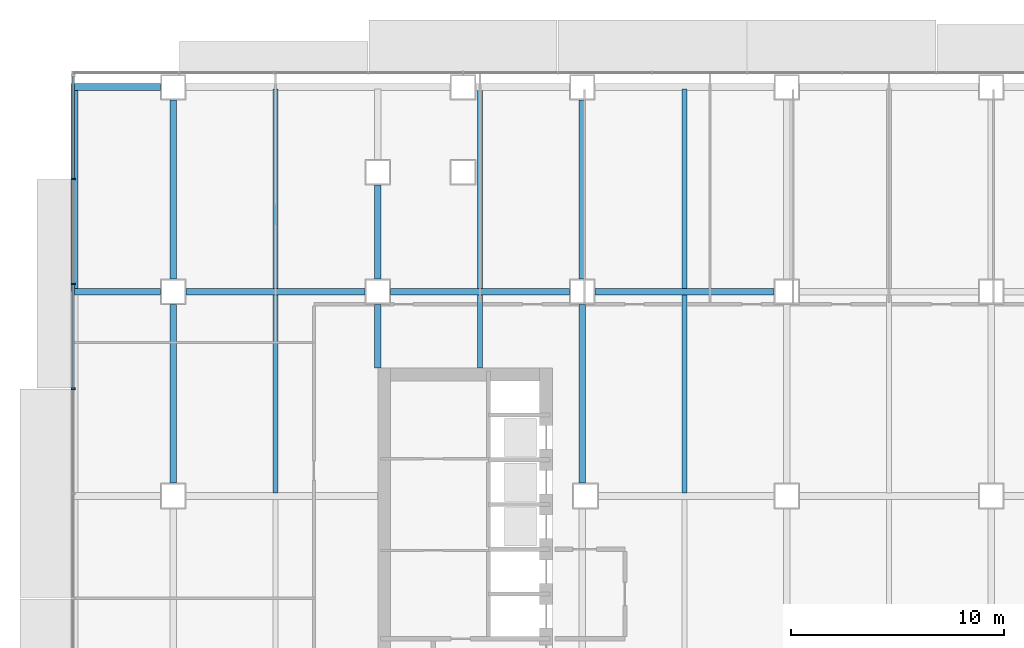
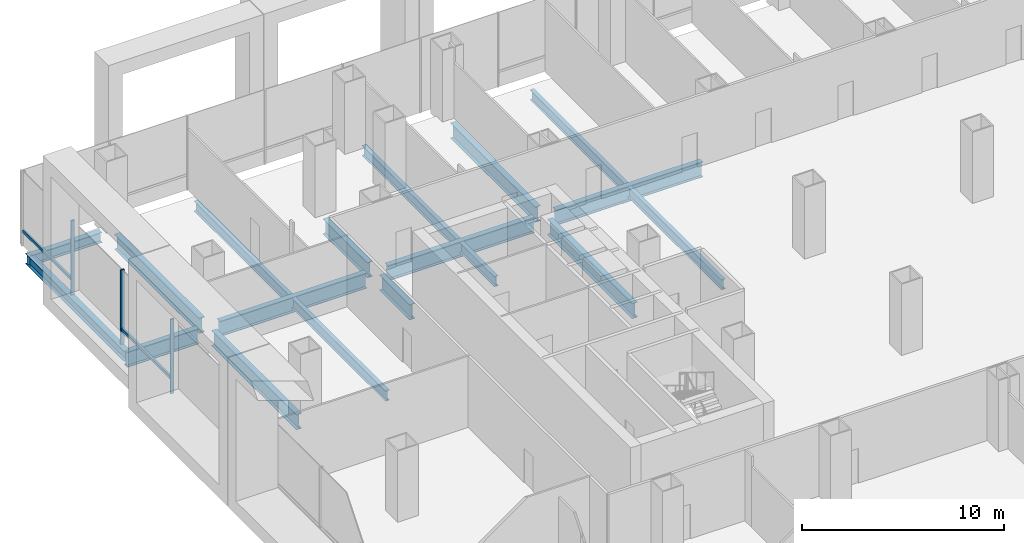
# One storey, part 6 of 23: 18 beams, 5 members, 1 element without a shape of its own.
"""IFC4 building model written with IfcOpenShell, lengths in metres."""

import ifcopenshell
import ifcopenshell.guid

model = None  # the IFC model being written
_history = None  # IfcOwnerHistory: only IFC2X3 demands one
_inside = {}  # id of a spatial element -> (the spatial element, [elements in it])
_under = {}  # id of a project, library or spatial element -> (it, [spatial elements below it])
_declared = {}  # id of a project -> (the project, [libraries it declares])
_typed = {}  # id of a type object -> (the type object, [elements of that type])
_made_of = {}  # id of a material, layer set ... -> (it, [elements and type objects made of it])


def new_model(schema):
    """Start an empty IFC model of exactly this schema.

    Asked for "IFC4X3", IfcOpenShell would pick the latest addendum, in which some entities
    have other attributes; the version numbers below select the first issue.
    IFC2X3 requires an IfcOwnerHistory on every rooted entity: one is made here for all.
    """
    global model, _history
    if schema == "IFC4X3":
        model = ifcopenshell.file(schema_version=(4, 3, 0, 0))
    else:
        model = ifcopenshell.file(schema=schema)
    _inside.clear()
    _under.clear()
    _declared.clear()
    _typed.clear()
    _made_of.clear()
    _history = None
    if model.schema == "IFC2X3":
        org = make("IfcOrganization", Name="unknown")
        user = make(
            "IfcPersonAndOrganization",
            ThePerson=make("IfcPerson", FamilyName="unknown"),
            TheOrganization=org,
        )
        app = make(
            "IfcApplication",
            ApplicationDeveloper=org,
            Version="unknown",
            ApplicationFullName="unknown",
            ApplicationIdentifier="unknown",
        )
        _history = make(
            "IfcOwnerHistory",
            OwningUser=user,
            OwningApplication=app,
            ChangeAction="ADDED",
            CreationDate=0,
        )
    return model


def make(cls, **values):
    """One entity of the class cls with the attributes given. An attribute that is None is left unset."""
    return model.create_entity(
        cls, **{name: value for name, value in values.items() if value is not None}
    )


def rooted(cls, **values):
    """An entity with a GlobalId (a new one), such as an element, a storey or a relation."""
    return make(cls, GlobalId=ifcopenshell.guid.new(), OwnerHistory=_history, **values)


def si_unit(unit_type, name, prefix=None):
    """IfcSIUnit, for example si_unit("LENGTHUNIT", "METRE", prefix="MILLI")."""
    return make("IfcSIUnit", UnitType=unit_type, Prefix=prefix, Name=name)


def assignment(units):
    """IfcUnitAssignment: the units of a project."""
    return None if units is None else make("IfcUnitAssignment", Units=units)


def point(xyz):
    """IfcCartesianPoint."""
    return None if xyz is None else make("IfcCartesianPoint", Coordinates=xyz)


def direction(xyz):
    """IfcDirection."""
    return None if xyz is None else make("IfcDirection", DirectionRatios=xyz)


def frame(location, z_axis=None, x_axis=None):
    """IfcAxis2Placement3D, a coordinate frame: its origin and axes. An axis left out is left unset."""
    return make(
        "IfcAxis2Placement3D",
        Location=point(location),
        Axis=direction(z_axis),
        RefDirection=direction(x_axis),
    )


def frame_2d(location, x_axis=None):
    """IfcAxis2Placement2D, a coordinate frame in the plane: its origin and x axis."""
    return make(
        "IfcAxis2Placement2D", Location=point(location), RefDirection=direction(x_axis)
    )


def origin():
    """The frame at (0, 0, 0) with its axes left unset."""
    return frame((0.0, 0.0, 0.0))


def origin_2d():
    """The frame at (0, 0) in the plane with its x axis left unset."""
    return frame_2d((0.0, 0.0))


def place(relative_to, where):
    """IfcLocalPlacement: puts the frame where relative to a parent placement (None: the world)."""
    return make(
        "IfcLocalPlacement", PlacementRelTo=relative_to, RelativePlacement=where
    )


def context(
    kind, dimensions, precision=None, world=None, true_north=None, identifier=None
):
    """IfcGeometricRepresentationContext, for example the 3D "Model" context."""
    return make(
        "IfcGeometricRepresentationContext",
        ContextIdentifier=identifier,
        ContextType=kind,
        CoordinateSpaceDimension=dimensions,
        Precision=precision,
        WorldCoordinateSystem=world,
        TrueNorth=true_north,
    )


def subcontext(parent, identifier, kind, view, scale=None):
    """IfcGeometricRepresentationSubContext, for example "Body" below "Model"."""
    return make(
        "IfcGeometricRepresentationSubContext",
        ContextIdentifier=identifier,
        ContextType=kind,
        ParentContext=parent,
        TargetScale=scale,
        TargetView=view,
    )


def project(units=None, contexts=None):
    """IfcProject with its units and contexts."""
    return rooted(
        "IfcProject",
        Name="project",
        RepresentationContexts=contexts,
        UnitsInContext=assignment(units),
    )


def spatial(cls, under=None, at=None, **own):
    """A site, building, storey or space (cls), placed at a placement, below another one or the project."""
    s = rooted(cls, ObjectPlacement=at, **own)
    if under is not None:
        _under.setdefault(under.id(), (under, []))[1].append(s)
    return s


def profile(cls, at=None, kind="AREA", **sizes):
    """A parametric profile (cls). Its sizes go by their IFC names, for example OverallWidth=200.0."""
    return make(cls, ProfileType=kind, Position=at, **sizes)


def rectangle(**sizes):
    """IfcRectangleProfileDef."""
    return profile("IfcRectangleProfileDef", **sizes)


def i_section(**sizes):
    """IfcIShapeProfileDef."""
    return profile("IfcIShapeProfileDef", **sizes)


def extrude(swept, where, along, depth):
    """IfcExtrudedAreaSolid: the profile swept, set in the frame where, extruded along a direction by depth."""
    return make(
        "IfcExtrudedAreaSolid",
        SweptArea=swept,
        Position=where,
        ExtrudedDirection=direction(along),
        Depth=depth,
    )


def shape(context_of_items, identifier, shape_type, items):
    """IfcShapeRepresentation: the items that make up one representation, for example the "Body"."""
    return make(
        "IfcShapeRepresentation",
        ContextOfItems=context_of_items,
        RepresentationIdentifier=identifier,
        RepresentationType=shape_type,
        Items=items,
    )


def material(Name=None, Category=None):
    """IfcMaterial."""
    return make("IfcMaterial", Name=Name, Category=Category)


def material_profile(
    of_material, cross_section, Name=None, Category=None, Priority=None
):
    """IfcMaterialProfile: a cross section and its material."""
    return make(
        "IfcMaterialProfile",
        Name=Name,
        Material=of_material,
        Profile=cross_section,
        Priority=Priority,
        Category=Category,
    )


def profile_set(profiles, Name=None, composite=None):
    """IfcMaterialProfileSet."""
    return make(
        "IfcMaterialProfileSet",
        Name=Name,
        MaterialProfiles=profiles,
        CompositeProfile=composite,
    )


def made_of(thing, what):
    """Note that an element or type object is made of a material, layer set ...; save() writes the relation."""
    if what is not None:
        _made_of.setdefault(what.id(), (what, []))[1].append(thing)
    return thing


def type_object(cls, material=None, **own):
    """A type object (cls), such as IfcWallType, which elements share."""
    return made_of(rooted(cls, **own), material)


def element(
    cls,
    number,
    at=None,
    inside=None,
    cuts=None,
    type_object=None,
    material=None,
    context=None,
    identifier="Body",
    shape_type=None,
    held_by="IfcProductDefinitionShape",
    body=None,
    shapes=None,
    **own,
):
    """One element of the class cls, such as IfcWall. Its Tag is "e" and its number.

    at: its placement. inside: the storey or other place that contains it. cuts: it is an
    opening in that element (IfcRelVoidsElement). A single representation is given by context,
    identifier, shape_type and body (its items); several are given by shapes. held_by: the class
    of the entity that holds the representations. save() writes the other relations.
    """
    e = rooted(cls, Tag="e%d" % number, ObjectPlacement=at, **own)
    if body is not None:
        shapes = [shape(context, identifier, shape_type, body)]
    if shapes is not None:
        e.Representation = make(held_by, Representations=shapes)
    if inside is not None:
        _inside.setdefault(inside.id(), (inside, []))[1].append(e)
    if cuts is not None:
        rooted(
            "IfcRelVoidsElement", RelatingBuildingElement=cuts, RelatedOpeningElement=e
        )
    if type_object is not None:
        _typed.setdefault(type_object.id(), (type_object, []))[1].append(e)
    return made_of(e, material)


def aggregate(whole, parts):
    """IfcRelAggregates: a whole, such as a stair, and the parts it consists of."""
    return rooted("IfcRelAggregates", RelatingObject=whole, RelatedObjects=parts)


def save(model, path):
    """Write the relations noted so far, then the file.

    IfcRelAggregates (storeys below a building ...), IfcRelContainedInSpatialStructure (elements
    in a storey), IfcRelDefinesByType, IfcRelAssociatesMaterial and IfcRelDeclares: one each for
    every whole, place, type object, material and project.
    """
    for whole, parts in _under.values():
        aggregate(whole, parts)
    for where, things in _inside.values():
        rooted(
            "IfcRelContainedInSpatialStructure",
            RelatedElements=things,
            RelatingStructure=where,
        )
    for kind, things in _typed.values():
        rooted("IfcRelDefinesByType", RelatedObjects=things, RelatingType=kind)
    for what, things in _made_of.values():
        rooted("IfcRelAssociatesMaterial", RelatedObjects=things, RelatingMaterial=what)
    for by, libraries in _declared.values():
        rooted("IfcRelDeclares", RelatingContext=by, RelatedDefinitions=libraries)
    model.write(path)


model = new_model("IFC4")

# Units and contexts
model_context = context("Model", 3, precision=1e-05, world=origin(), true_north=direction((0.0, 1.0)))
body_context = subcontext(model_context, "Body", "Model", "MODEL_VIEW")
ifc_project = project(units=[si_unit("LENGTHUNIT", "METRE"), si_unit("AREAUNIT", "SQUARE_METRE"), si_unit("VOLUMEUNIT", "CUBIC_METRE"), si_unit("PLANEANGLEUNIT", "RADIAN"), si_unit("MASSUNIT", "GRAM", prefix="KILO")], contexts=[model_context])

# Site, building, storey
site_placement = place(None, origin())
site = spatial("IfcSite", under=ifc_project, at=site_placement, CompositionType="ELEMENT")
building_placement = place(site_placement, origin())
building = spatial("IfcBuilding", under=site, at=building_placement, Name="Cobrizo Arcos Hotel Tower", CompositionType="ELEMENT")
storey_placement = place(building_placement, frame((0.0, 0.0, 15.5)))
storey = spatial("IfcBuildingStorey", under=building, at=storey_placement, Name="L02", CompositionType="ELEMENT", Elevation=15.5)

# Curtain wall, members
ifc_material_1 = material(Name="Aluminium 6063-T6 anodised bronze", Category="aluminium")
curtain_wall_type = type_object("IfcCurtainWallType", Name="CW-B podium glazing", PredefinedType="NOTDEFINED", material=ifc_material_1)
curtain_wall_placement = place(storey_placement, origin())
curtain_wall = element("IfcCurtainWall", 1, at=curtain_wall_placement, inside=storey, type_object=curtain_wall_type, Name="CW-B L02 W face", PredefinedType="NOTDEFINED")
ifc_material_profile_1 = material_profile(ifc_material_1, rectangle(XDim=0.199951171875, YDim=0.080078125, at=origin_2d()), Name="CW-B mullion 200x80")
ifc_profile_set_1 = profile_set([ifc_material_profile_1], Name="Aluminium 6063-T6 anodised bronze")
member_type_1 = type_object("IfcMemberType", Name="CW-B mullion 200x80", PredefinedType="MULLION", material=ifc_profile_set_1)
member_1_placement = place(storey_placement, frame((-38.300048828125, 19.679931640625, 0.0), z_axis=(0.0, 0.0, 1.0), x_axis=(-1.0, 0.0, 0.0)))
member_1 = element("IfcMember", 2, at=member_1_placement, type_object=member_type_1, Name="CW-B mullion 2", PredefinedType="MULLION", context=body_context, shape_type="SweptSolid", body=[
    extrude(rectangle(XDim=0.199951171875, YDim=0.080078125, at=origin_2d()), origin(), (0.0, 0.0, 1.0), 4.5),
])
member_2_placement = place(storey_placement, frame((-38.300048828125, 14.760009765625, 0.0), z_axis=(0.0, 0.0, 1.0), x_axis=(-1.0, 0.0, 0.0)))
member_2 = element("IfcMember", 3, at=member_2_placement, type_object=member_type_1, Name="CW-B mullion 3", PredefinedType="MULLION", context=body_context, shape_type="SweptSolid", body=[
    extrude(rectangle(XDim=0.199951171875, YDim=0.080078125, at=origin_2d()), origin(), (0.0, 0.0, 1.0), 4.5),
])
member_3_placement = place(storey_placement, frame((-38.300048828125, 9.840087890625, 0.0), z_axis=(0.0, 0.0, 1.0), x_axis=(-1.0, 0.0, 0.0)))
member_3 = element("IfcMember", 4, at=member_3_placement, type_object=member_type_1, Name="CW-B mullion 4", PredefinedType="MULLION", context=body_context, shape_type="SweptSolid", body=[
    extrude(rectangle(XDim=0.199951171875, YDim=0.080078125, at=origin_2d()), origin(), (0.0, 0.0, 1.0), 4.5),
])
ifc_material_profile_2 = material_profile(ifc_material_1, rectangle(XDim=0.1201171875, YDim=0.159912109375, at=origin_2d()), Name="CW-B transom 160x120")
ifc_profile_set_2 = profile_set([ifc_material_profile_2], Name="Aluminium 6063-T6 anodised bronze")
member_type_2 = type_object("IfcMemberType", Name="CW-B transom 160x120", PredefinedType="USERDEFINED", material=ifc_profile_set_2)
member_4_placement = place(storey_placement, frame((-38.300048828125, 24.52001953125, 0.89990234375), z_axis=(0.0, -1.0, 0.0), x_axis=(1.0, 0.0, 0.0)))
member_4 = element("IfcMember", 5, at=member_4_placement, type_object=member_type_2, Name="CW-B transom 134", ObjectType="TRANSOM", PredefinedType="USERDEFINED", context=body_context, shape_type="SweptSolid", body=[
    extrude(rectangle(XDim=0.1201171875, YDim=0.159912109375, at=origin_2d()), origin(), (0.0, 0.0, 1.0), 4.800048828125),
])
member_5_placement = place(storey_placement, frame((-38.300048828125, 14.719970703125, 0.89990234375), z_axis=(0.0, -1.0, 0.0), x_axis=(1.0, 0.0, 0.0)))
member_5 = element("IfcMember", 6, at=member_5_placement, type_object=member_type_2, Name="CW-B transom 136", ObjectType="TRANSOM", PredefinedType="USERDEFINED", context=body_context, shape_type="SweptSolid", body=[
    extrude(rectangle(XDim=0.1201171875, YDim=0.159912109375, at=origin_2d()), origin(), (0.0, 0.0, 1.0), 4.840087890625),
])
aggregate(curtain_wall, [member_1, member_2, member_3, member_4, member_5])

# Beams
ifc_material_2 = material(Name="Steel ASTM A992 Grade 50", Category="steel")
ifc_material_profile_3 = material_profile(ifc_material_2, i_section(OverallWidth=0.32763671875, OverallDepth=0.622314453125, WebThickness=0.015380859375, FlangeThickness=0.0244140625, at=origin_2d()), Name="W24X131")
ifc_profile_set_3 = profile_set([ifc_material_profile_3], Name="Steel ASTM A992 Grade 50")
beam_type_1 = type_object("IfcBeamType", Name="W24X131 edge beam", PredefinedType="BEAM", material=ifc_profile_set_3)
beam_1_placement = place(storey_placement, frame((-34.199951171875, 24.0, -0.510986328125), z_axis=(-1.0, 0.0, 0.0), x_axis=(0.0, -1.0, 0.0)))
element("IfcBeam", 7, at=beam_1_placement, inside=storey, type_object=beam_type_1, Name="Edge beam EB1, L02, no. 007", PredefinedType="BEAM", context=body_context, shape_type="SweptSolid", body=[
    extrude(i_section(OverallWidth=0.32763671875, OverallDepth=0.622314453125, WebThickness=0.015380859375, FlangeThickness=0.0244140625, at=origin_2d()), origin(), (0.0, 0.0, 1.0), 4.199951171875),
])
beam_2_placement = place(storey_placement, frame((-38.236083984375, 24.0, -0.510986328125), z_axis=(0.0, -1.0, 0.0), x_axis=(1.0, 0.0, 0.0)))
element("IfcBeam", 8, at=beam_2_placement, inside=storey, type_object=beam_type_1, Name="Edge beam EB1, L02, no. 008", PredefinedType="BEAM", context=body_context, shape_type="SweptSolid", body=[
    extrude(i_section(OverallWidth=0.32763671875, OverallDepth=0.622314453125, WebThickness=0.015380859375, FlangeThickness=0.0244140625, at=origin_2d()), origin(), (0.0, 0.0, 1.0), 9.60009765625),
])
ifc_material_profile_4 = material_profile(ifc_material_2, i_section(OverallWidth=0.23046875, OverallDepth=0.6171875, WebThickness=0.01318359375, FlangeThickness=0.022216796875, at=origin_2d()), Name="W24X94")
ifc_profile_set_4 = profile_set([ifc_material_profile_4], Name="Steel ASTM A992 Grade 50")
beam_type_2 = type_object("IfcBeamType", Name="W24X94 podium joist", PredefinedType="JOIST", material=ifc_profile_set_4)
beam_3_placement = place(storey_placement, frame((-28.800048828125, 4.95361328125, -0.508544921875), z_axis=(0.0, 1.0, 0.0), x_axis=(-1.0, 0.0, 0.0)))
element("IfcBeam", 9, at=beam_3_placement, inside=storey, type_object=beam_type_2, Name="Podium joist PJ1, L02, no. 004", PredefinedType="JOIST", context=body_context, shape_type="SweptSolid", body=[
    extrude(i_section(OverallWidth=0.23046875, OverallDepth=0.6171875, WebThickness=0.01318359375, FlangeThickness=0.022216796875, at=origin_2d()), origin(), (0.0, 0.0, 1.0), 9.292724609375),
])
beam_4_placement = place(storey_placement, frame((-28.800048828125, 14.5537109375, -0.508544921875), z_axis=(0.0, 1.0, 0.0), x_axis=(-1.0, 0.0, 0.0)))
element("IfcBeam", 10, at=beam_4_placement, inside=storey, type_object=beam_type_2, Name="Podium joist PJ1, L02, no. 005", PredefinedType="JOIST", context=body_context, shape_type="SweptSolid", body=[
    extrude(i_section(OverallWidth=0.23046875, OverallDepth=0.6171875, WebThickness=0.01318359375, FlangeThickness=0.022216796875, at=origin_2d()), origin(), (0.0, 0.0, 1.0), 9.356201171875),
])
beam_5_placement = place(storey_placement, frame((-19.199951171875, 10.81005859375, -0.508544921875), z_axis=(0.0, 1.0, 0.0), x_axis=(-1.0, 0.0, 0.0)))
element("IfcBeam", 11, at=beam_5_placement, inside=storey, type_object=beam_type_2, Name="Podium joist PJ1, L02, no. 008", PredefinedType="JOIST", context=body_context, shape_type="SweptSolid", body=[
    extrude(i_section(OverallWidth=0.23046875, OverallDepth=0.6171875, WebThickness=0.01318359375, FlangeThickness=0.022216796875, at=origin_2d()), origin(), (0.0, 0.0, 1.0), 3.436279296875),
])
beam_6_placement = place(storey_placement, frame((-19.199951171875, 14.5537109375, -0.508544921875), z_axis=(0.0, 1.0, 0.0), x_axis=(-1.0, 0.0, 0.0)))
element("IfcBeam", 12, at=beam_6_placement, inside=storey, type_object=beam_type_2, Name="Podium joist PJ1, L02, no. 009", PredefinedType="JOIST", context=body_context, shape_type="SweptSolid", body=[
    extrude(i_section(OverallWidth=0.23046875, OverallDepth=0.6171875, WebThickness=0.01318359375, FlangeThickness=0.022216796875, at=origin_2d()), origin(), (0.0, 0.0, 1.0), 9.356201171875),
])
beam_7_placement = place(storey_placement, frame((-9.60009765625, 4.95361328125, -0.508544921875), z_axis=(0.0, 1.0, 0.0), x_axis=(-1.0, 0.0, 0.0)))
element("IfcBeam", 13, at=beam_7_placement, inside=storey, type_object=beam_type_2, Name="Podium joist PJ1, L02, no. 013", PredefinedType="JOIST", context=body_context, shape_type="SweptSolid", body=[
    extrude(i_section(OverallWidth=0.23046875, OverallDepth=0.6171875, WebThickness=0.01318359375, FlangeThickness=0.022216796875, at=origin_2d()), origin(), (0.0, 0.0, 1.0), 9.292724609375),
])
beam_8_placement = place(storey_placement, frame((-9.60009765625, 14.5537109375, -0.508544921875), z_axis=(0.0, 1.0, 0.0), x_axis=(-1.0, 0.0, 0.0)))
element("IfcBeam", 14, at=beam_8_placement, inside=storey, type_object=beam_type_2, Name="Podium joist PJ1, L02, no. 014", PredefinedType="JOIST", context=body_context, shape_type="SweptSolid", body=[
    extrude(i_section(OverallWidth=0.23046875, OverallDepth=0.6171875, WebThickness=0.01318359375, FlangeThickness=0.022216796875, at=origin_2d()), origin(), (0.0, 0.0, 1.0), 9.356201171875),
])
ifc_material_profile_5 = material_profile(ifc_material_2, i_section(OverallWidth=0.307373046875, OverallDepth=0.927001953125, WebThickness=0.01953125, FlangeThickness=0.031982421875, at=origin_2d()), Name="W36X194")
ifc_profile_set_5 = profile_set([ifc_material_profile_5], Name="Steel ASTM A992 Grade 50")
beam_type_3 = type_object("IfcBeamType", Name="W36X194 podium girder", PredefinedType="BEAM", material=ifc_profile_set_5)
beam_9_placement = place(storey_placement, frame((-38.31005859375, 14.39990234375, -0.66357421875), z_axis=(1.0, 0.0, 0.0), x_axis=(0.0, 1.0, 0.0)))
element("IfcBeam", 15, at=beam_9_placement, inside=storey, type_object=beam_type_3, Name="Podium girder PG1, L02, no. 026", PredefinedType="BEAM", context=body_context, shape_type="SweptSolid", body=[
    extrude(i_section(OverallWidth=0.307373046875, OverallDepth=0.927001953125, WebThickness=0.01953125, FlangeThickness=0.031982421875, at=origin_2d()), origin(), (0.0, 0.0, 1.0), 4.110107421875),
])
for number, where, z_axis, x_axis, name in (
    (16, (-33.0, 14.39990234375, -0.66357421875), (1.0, 0.0, 0.0), (0.0, 1.0, 0.0), "Podium girder PG1, L02, no. 027"),
    (17, (-23.39990234375, 14.39990234375, -0.66357421875), (1.0, 0.0, 0.0), (0.0, 1.0, 0.0), "Podium girder PG1, L02, no. 028"),
):
    element("IfcBeam", number, at=place(storey_placement, frame(where, z_axis=z_axis, x_axis=x_axis)), inside=storey, type_object=beam_type_3, Name=name, PredefinedType="BEAM", context=body_context, shape_type="SweptSolid", body=[
        extrude(i_section(OverallWidth=0.307373046875, OverallDepth=0.927001953125, WebThickness=0.01953125, FlangeThickness=0.031982421875, at=origin_2d()), origin(), (0.0, 0.0, 1.0), 8.39990234375),
    ])
for number, where, z_axis, x_axis, name in (
    (18, (-13.800048828125, 14.39990234375, -0.66357421875), (1.0, 0.0, 0.0), (0.0, 1.0, 0.0), "Podium girder PG1, L02, no. 029"),
    (19, (-33.60009765625, 5.39990234375, -0.66357421875), (0.0, 1.0, 0.0), (-1.0, 0.0, 0.0), "Podium girder PG1, L02, no. 038"),
):
    element("IfcBeam", number, at=place(storey_placement, frame(where, z_axis=z_axis, x_axis=x_axis)), inside=storey, type_object=beam_type_3, Name=name, PredefinedType="BEAM", context=body_context, shape_type="SweptSolid", body=[
        extrude(i_section(OverallWidth=0.307373046875, OverallDepth=0.927001953125, WebThickness=0.01953125, FlangeThickness=0.031982421875, at=origin_2d()), origin(), (0.0, 0.0, 1.0), 8.400146484375),
    ])
beam_10_placement = place(storey_placement, frame((-33.60009765625, 15.0, -0.66357421875), z_axis=(0.0, 1.0, 0.0), x_axis=(-1.0, 0.0, 0.0)))
element("IfcBeam", 20, at=beam_10_placement, inside=storey, type_object=beam_type_3, Name="Podium girder PG1, L02, no. 039", PredefinedType="BEAM", context=body_context, shape_type="SweptSolid", body=[
    extrude(i_section(OverallWidth=0.307373046875, OverallDepth=0.927001953125, WebThickness=0.01953125, FlangeThickness=0.031982421875, at=origin_2d()), origin(), (0.0, 0.0, 1.0), 8.39990234375),
])
beam_11_placement = place(storey_placement, frame((-24.0, 10.81005859375, -0.66357421875), z_axis=(0.0, 1.0, 0.0), x_axis=(-1.0, 0.0, 0.0)))
element("IfcBeam", 21, at=beam_11_placement, inside=storey, type_object=beam_type_3, Name="Podium girder PG1, L02, no. 043", PredefinedType="BEAM", context=body_context, shape_type="SweptSolid", body=[
    extrude(i_section(OverallWidth=0.307373046875, OverallDepth=0.927001953125, WebThickness=0.01953125, FlangeThickness=0.031982421875, at=origin_2d()), origin(), (0.0, 0.0, 1.0), 2.989990234375),
])
beam_12_placement = place(storey_placement, frame((-24.0, 15.0, -0.66357421875), z_axis=(0.0, 1.0, 0.0), x_axis=(-1.0, 0.0, 0.0)))
element("IfcBeam", 22, at=beam_12_placement, inside=storey, type_object=beam_type_3, Name="Podium girder PG1, L02, no. 044", PredefinedType="BEAM", context=body_context, shape_type="SweptSolid", body=[
    extrude(i_section(OverallWidth=0.307373046875, OverallDepth=0.927001953125, WebThickness=0.01953125, FlangeThickness=0.031982421875, at=origin_2d()), origin(), (0.0, 0.0, 1.0), 4.39990234375),
])
beam_13_placement = place(storey_placement, frame((-14.39990234375, 5.39990234375, -0.66357421875), z_axis=(0.0, 1.0, 0.0), x_axis=(-1.0, 0.0, 0.0)))
element("IfcBeam", 23, at=beam_13_placement, inside=storey, type_object=beam_type_3, Name="Podium girder PG1, L02, no. 049", PredefinedType="BEAM", context=body_context, shape_type="SweptSolid", body=[
    extrude(i_section(OverallWidth=0.307373046875, OverallDepth=0.927001953125, WebThickness=0.01953125, FlangeThickness=0.031982421875, at=origin_2d()), origin(), (0.0, 0.0, 1.0), 8.400146484375),
])
beam_14_placement = place(storey_placement, frame((-14.39990234375, 15.0, -0.66357421875), z_axis=(0.0, 1.0, 0.0), x_axis=(-1.0, 0.0, 0.0)))
element("IfcBeam", 24, at=beam_14_placement, inside=storey, type_object=beam_type_3, Name="Podium girder PG1, L02, no. 050", PredefinedType="BEAM", context=body_context, shape_type="SweptSolid", body=[
    extrude(i_section(OverallWidth=0.307373046875, OverallDepth=0.927001953125, WebThickness=0.01953125, FlangeThickness=0.031982421875, at=origin_2d()), origin(), (0.0, 0.0, 1.0), 8.39990234375),
])

save(model, "model.ifc")
